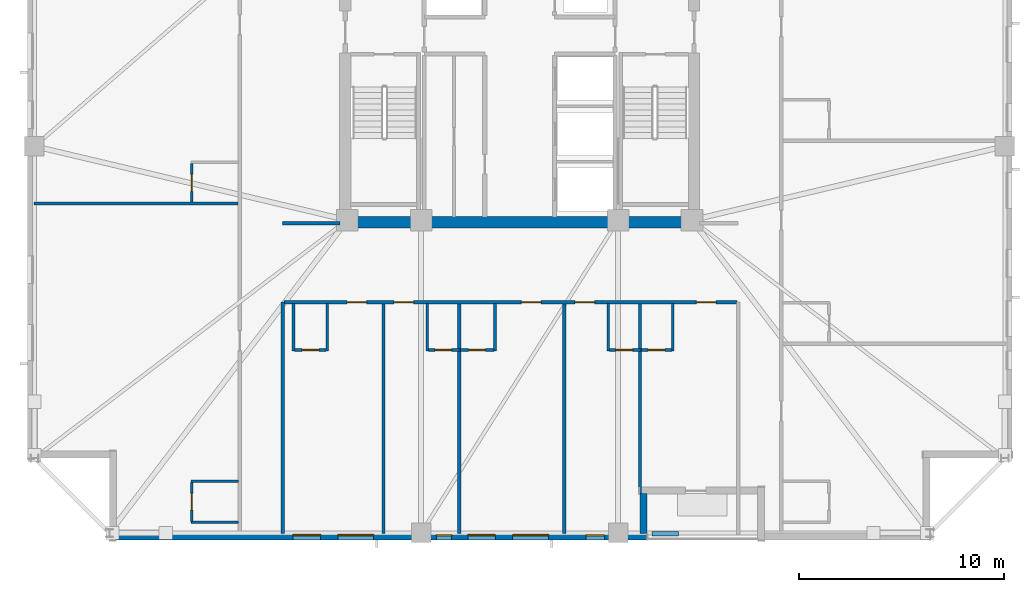
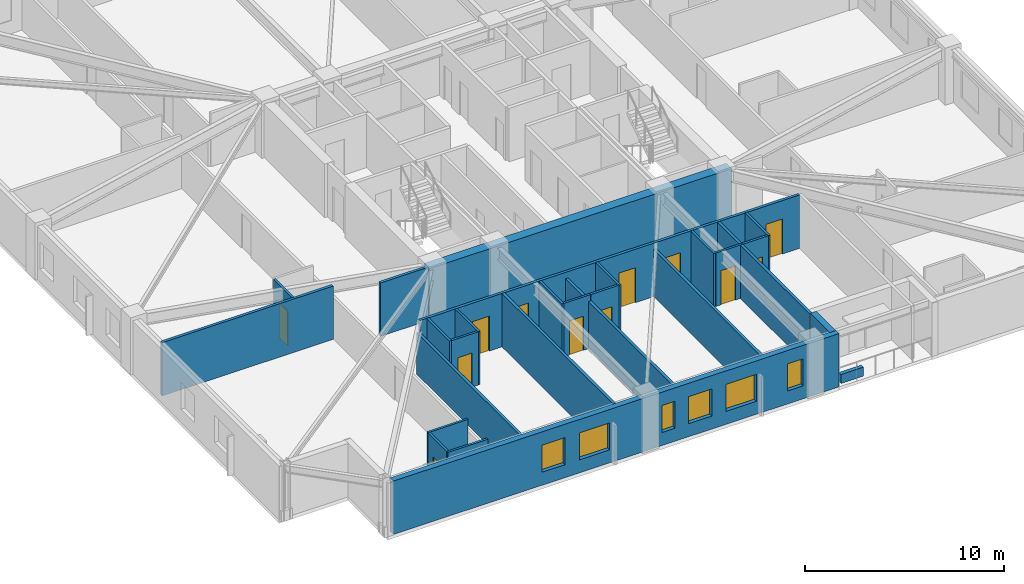
# One storey, part 2 of 11: 27 walls, 12 doors, 6 windows, 18 openings.
"""IFC4 building model written with IfcOpenShell, lengths in metres."""

from ifc_helpers import new_model, si_unit, direction, frame, frame_2d, origin, place, context, subcontext, project, spatial, rectangle, extrude, material, layer, layer_set, type_object, element, fill, save


model = new_model("IFC4")

# Units and contexts
model_context = context("Model", 3, precision=1e-05, world=origin(), true_north=direction((0.0, 1.0)))
body_context = subcontext(model_context, "Body", "Model", "MODEL_VIEW")
ifc_project = project(units=[si_unit("LENGTHUNIT", "METRE"), si_unit("AREAUNIT", "SQUARE_METRE"), si_unit("VOLUMEUNIT", "CUBIC_METRE"), si_unit("PLANEANGLEUNIT", "RADIAN"), si_unit("MASSUNIT", "GRAM", prefix="KILO")], contexts=[model_context])

# Site, building, storey
site_placement = place(None, origin())
site = spatial("IfcSite", under=ifc_project, at=site_placement, CompositionType="ELEMENT")
building_placement = place(site_placement, origin())
building = spatial("IfcBuilding", under=site, at=building_placement, Name="Cairnveth Concourse Tower", CompositionType="ELEMENT")
storey_placement = place(building_placement, frame((0.0, 0.0, 165.5)))
storey = spatial("IfcBuildingStorey", under=building, at=storey_placement, Name="L45", CompositionType="ELEMENT", Elevation=165.5)

# Walls
ifc_material_1 = material(Name="Gypsum Plasterboard Partition", Category="gypsum")
ifc_layer_1 = layer(ifc_material_1, 0.159912109375)
ifc_layer_set_1 = layer_set([ifc_layer_1], Name="Gypsum Plasterboard Partition")
wall_type_1 = type_object("IfcWallType", Name="ACOUSTIC PARTY WALL 180", PredefinedType="PARTITIONING", material=ifc_layer_set_1)
wall_1_placement = place(storey_placement, frame((40.449951171875, 15.324951171875, 0.0), z_axis=(0.0, 0.0, 1.0), x_axis=(0.0, 1.0, 0.0)))
element("IfcWall", 1, at=wall_1_placement, inside=storey, type_object=wall_type_1, Name="Interior Wall IW-L45-038", PredefinedType="PARTITIONING", context=body_context, shape_type="SweptSolid", body=[
    extrude(rectangle(XDim=11.275146484375, YDim=0.159912109375, at=frame_2d((5.6376953125, 0.0))), origin(), (0.0, 0.0, 1.0), 2.554931640625),
])
wall_2_placement = place(storey_placement, frame((40.449951171875, 30.449951171875, 0.0), z_axis=(0.0, 0.0, 1.0), x_axis=(1.0, 0.0, 0.0)))
element("IfcWall", 2, at=wall_2_placement, inside=storey, type_object=wall_type_1, Name="Interior Wall IW-L45-040", PredefinedType="PARTITIONING", context=body_context, shape_type="SweptSolid", body=[
    extrude(rectangle(XDim=2.78515625, YDim=0.159912109375, at=frame_2d((1.392578125, 0.0))), origin(), (0.0, 0.0, 1.0), 3.280029296875),
])

# Wall, openings, doors
wall_3_placement = place(storey_placement, frame((40.514892578125, 26.60009765625, 0.0), z_axis=(0.0, 0.0, 1.0), x_axis=(1.0, 0.0, 0.0)))
wall_3 = element("IfcWall", 3, at=wall_3_placement, inside=storey, type_object=wall_type_1, Name="Interior Wall IW-L45-047", PredefinedType="PARTITIONING", context=body_context, shape_type="SweptSolid", body=[
    extrude(rectangle(XDim=22.070068359375, YDim=0.159912109375, at=frame_2d((11.03515625, 0.0))), origin(), (0.0, 0.0, 1.0), 3.280029296875),
])
opening_1_placement = place(wall_3_placement, frame((3.071533203125, 0.0, 0.0)))
opening_1 = element("IfcOpeningElement", 4, at=opening_1_placement, cuts=wall_3, Name="Opening ID09", PredefinedType="OPENING", context=body_context, shape_type="SweptSolid", body=[
    extrude(rectangle(XDim=0.9599609375, YDim=2.14990234375, at=frame_2d((0.47998046875, 1.074951171875))), frame((0.0, 0.08984375, 0.0), z_axis=(0.0, -1.0, 0.0), x_axis=(1.0, 0.0, 0.0)), (0.0, 0.0, 1.0), 0.179931640625),
])
opening_2_placement = place(wall_3_placement, frame((5.362060546875, 0.0, 0.0)))
opening_2 = element("IfcOpeningElement", 5, at=opening_2_placement, cuts=wall_3, Name="Opening ID09", PredefinedType="OPENING", context=body_context, shape_type="SweptSolid", body=[
    extrude(rectangle(XDim=0.9599609375, YDim=2.14990234375, at=frame_2d((0.47998046875, 1.074951171875))), frame((0.0, 0.08984375, 0.0), z_axis=(0.0, -1.0, 0.0), x_axis=(1.0, 0.0, 0.0)), (0.0, 0.0, 1.0), 0.179931640625),
])
opening_3_placement = place(wall_3_placement, frame((11.56591796875, 0.0, 0.0)))
opening_3 = element("IfcOpeningElement", 6, at=opening_3_placement, cuts=wall_3, Name="Opening ID09", PredefinedType="OPENING", context=body_context, shape_type="SweptSolid", body=[
    extrude(rectangle(XDim=0.9599609375, YDim=2.14990234375, at=frame_2d((0.47998046875, 1.074951171875))), frame((0.0, 0.08984375, 0.0), z_axis=(0.0, -1.0, 0.0), x_axis=(1.0, 0.0, 0.0)), (0.0, 0.0, 1.0), 0.179931640625),
])
opening_4_placement = place(wall_3_placement, frame((14.177978515625, 0.0, 0.0)))
opening_4 = element("IfcOpeningElement", 7, at=opening_4_placement, cuts=wall_3, Name="Opening ID09", PredefinedType="OPENING", context=body_context, shape_type="SweptSolid", body=[
    extrude(rectangle(XDim=0.9599609375, YDim=2.14990234375, at=frame_2d((0.47998046875, 1.074951171875))), frame((0.0, 0.08984375, 0.0), z_axis=(0.0, -1.0, 0.0), x_axis=(1.0, 0.0, 0.0)), (0.0, 0.0, 1.0), 0.179931640625),
])
opening_5_placement = place(wall_3_placement, frame((20.098876953125, 0.0, 0.0)))
opening_5 = element("IfcOpeningElement", 8, at=opening_5_placement, cuts=wall_3, Name="Opening ID09", PredefinedType="OPENING", context=body_context, shape_type="SweptSolid", body=[
    extrude(rectangle(XDim=0.9599609375, YDim=2.14990234375, at=frame_2d((0.47998046875, 1.074951171875))), frame((0.0, 0.08984375, 0.0), z_axis=(0.0, -1.0, 0.0), x_axis=(1.0, 0.0, 0.0)), (0.0, 0.0, 1.0), 0.179931640625),
])
ifc_material_2 = material(Name="Solid Core Hardwood Timber Leaf", Category="wood")
door_type_1 = type_object("IfcDoorType", Name="HOTEL ENTRANCE DOOR 960X2150", OperationType="NOTDEFINED", PredefinedType="DOOR", material=ifc_material_2)
door_1_placement = place(opening_1_placement, origin())
door_1 = element("IfcDoor", 9, at=door_1_placement, inside=storey, type_object=door_type_1, Name="Hotel Room Door L45-S1", OperationType="SINGLE_SWING_RIGHT", OverallHeight=2.14990234375, OverallWidth=0.9599609375, PredefinedType="DOOR", context=body_context, shape_type="SweptSolid", body=[
    extrude(rectangle(XDim=0.9599609375, YDim=2.14990234375, at=frame_2d((0.47998046875, 1.074951171875))), frame((0.0, 0.02490234375, 0.0), z_axis=(0.0, -1.0, 0.0), x_axis=(1.0, 0.0, 0.0)), (0.0, 0.0, 1.0), 0.050048828125),
])
fill(opening_1, door_1)
door_2_placement = place(opening_2_placement, origin())
door_2 = element("IfcDoor", 10, at=door_2_placement, inside=storey, type_object=door_type_1, Name="Hotel Room Door L45-S2", OperationType="SINGLE_SWING_RIGHT", OverallHeight=2.14990234375, OverallWidth=0.9599609375, PredefinedType="DOOR", context=body_context, shape_type="SweptSolid", body=[
    extrude(rectangle(XDim=0.9599609375, YDim=2.14990234375, at=frame_2d((0.47998046875, 1.074951171875))), frame((0.0, 0.02490234375, 0.0), z_axis=(0.0, -1.0, 0.0), x_axis=(1.0, 0.0, 0.0)), (0.0, 0.0, 1.0), 0.050048828125),
])
fill(opening_2, door_2)
door_3_placement = place(opening_3_placement, origin())
door_3 = element("IfcDoor", 11, at=door_3_placement, inside=storey, type_object=door_type_1, Name="Hotel Room Door L45-S3", OperationType="SINGLE_SWING_RIGHT", OverallHeight=2.14990234375, OverallWidth=0.9599609375, PredefinedType="DOOR", context=body_context, shape_type="SweptSolid", body=[
    extrude(rectangle(XDim=0.9599609375, YDim=2.14990234375, at=frame_2d((0.47998046875, 1.074951171875))), frame((0.0, 0.02490234375, 0.0), z_axis=(0.0, -1.0, 0.0), x_axis=(1.0, 0.0, 0.0)), (0.0, 0.0, 1.0), 0.050048828125),
])
fill(opening_3, door_3)
door_4_placement = place(opening_4_placement, origin())
door_4 = element("IfcDoor", 12, at=door_4_placement, inside=storey, type_object=door_type_1, Name="Hotel Room Door L45-S4", OperationType="SINGLE_SWING_RIGHT", OverallHeight=2.14990234375, OverallWidth=0.9599609375, PredefinedType="DOOR", context=body_context, shape_type="SweptSolid", body=[
    extrude(rectangle(XDim=0.9599609375, YDim=2.14990234375, at=frame_2d((0.47998046875, 1.074951171875))), frame((0.0, 0.02490234375, 0.0), z_axis=(0.0, -1.0, 0.0), x_axis=(1.0, 0.0, 0.0)), (0.0, 0.0, 1.0), 0.050048828125),
])
fill(opening_4, door_4)
door_5_placement = place(opening_5_placement, origin())
door_5 = element("IfcDoor", 13, at=door_5_placement, inside=storey, type_object=door_type_1, Name="Hotel Room Door L45-S5", OperationType="SINGLE_SWING_RIGHT", OverallHeight=2.14990234375, OverallWidth=0.9599609375, PredefinedType="DOOR", context=body_context, shape_type="SweptSolid", body=[
    extrude(rectangle(XDim=0.9599609375, YDim=2.14990234375, at=frame_2d((0.47998046875, 1.074951171875))), frame((0.0, 0.02490234375, 0.0), z_axis=(0.0, -1.0, 0.0), x_axis=(1.0, 0.0, 0.0)), (0.0, 0.0, 1.0), 0.050048828125),
])
fill(opening_5, door_5)

# Walls
wall_4_placement = place(storey_placement, frame((45.360595703125, 15.324951171875, 0.0), z_axis=(0.0, 0.0, 1.0), x_axis=(0.0, 1.0, 0.0)))
element("IfcWall", 14, at=wall_4_placement, inside=storey, type_object=wall_type_1, Name="Interior Wall IW-L45-053", PredefinedType="PARTITIONING", context=body_context, shape_type="SweptSolid", body=[
    extrude(rectangle(XDim=11.195068359375, YDim=0.159912109375, at=frame_2d((5.59765625, 0.0))), origin(), (0.0, 0.0, 1.0), 3.280029296875),
])
for number, where, z_axis, x_axis, name in (
    (15, (49.053466796875, 15.324951171875, 0.0), (0.0, 0.0, 1.0), (0.0, 1.0, 0.0), "Interior Wall IW-L45-056"),
    (16, (54.176513671875, 15.324951171875, 0.0), (0.0, 0.0, 1.0), (0.0, 1.0, 0.0), "Interior Wall IW-L45-059"),
):
    element("IfcWall", number, at=place(storey_placement, frame(where, z_axis=z_axis, x_axis=x_axis)), inside=storey, type_object=wall_type_1, Name=name, PredefinedType="PARTITIONING", context=body_context, shape_type="SweptSolid", body=[
        extrude(rectangle(XDim=11.195068359375, YDim=0.159912109375, at=frame_2d((5.59765625, 0.0))), origin(), (0.0, 0.0, 1.0), 2.89599609375),
    ])
wall_5_placement = place(storey_placement, frame((57.869384765625, 17.261962890625, 0.0), z_axis=(0.0, 0.0, 1.0), x_axis=(0.0, 1.0, 0.0)))
element("IfcWall", 17, at=wall_5_placement, inside=storey, type_object=wall_type_1, Name="Interior Wall IW-L45-062", PredefinedType="PARTITIONING", context=body_context, shape_type="SweptSolid", body=[
    extrude(rectangle(XDim=9.258056640625, YDim=0.159912109375, at=frame_2d((4.62890625, 0.0))), origin(), (0.0, 0.0, 1.0), 3.280029296875),
])
wall_6_placement = place(storey_placement, frame((28.324951171875, 31.41455078125, 0.0), z_axis=(0.0, 0.0, 1.0), x_axis=(1.0, 0.0, 0.0)))
element("IfcWall", 18, at=wall_6_placement, inside=storey, type_object=wall_type_1, Name="Interior Wall IW-L45-068", PredefinedType="PARTITIONING", context=body_context, shape_type="SweptSolid", body=[
    extrude(rectangle(XDim=9.945068359375, YDim=0.159912109375, at=frame_2d((4.97265625, 0.0))), origin(), (0.0, 0.0, 1.0), 3.280029296875),
])
ifc_material_3 = material(Name="Concrete N80 (80 MPa)", Category="concrete")
ifc_layer_2 = layer(ifc_material_3, 0.550048828125)
ifc_layer_set_2 = layer_set([ifc_layer_2], Name="Concrete N80 (80 MPa)")
wall_type_2 = type_object("IfcWallType", Name="CORE SHEAR WALL 550", PredefinedType="SHEAR", material=ifc_layer_set_2)
wall_7_placement = place(storey_placement, frame((43.22509765625, 30.5, 0.0), z_axis=(0.0, 0.0, 1.0), x_axis=(1.0, 0.0, 0.0)))
element("IfcWall", 19, at=wall_7_placement, inside=storey, type_object=wall_type_2, Name="Core South Shear Wall L45", PredefinedType="SHEAR", context=body_context, shape_type="SweptSolid", body=[
    extrude(rectangle(XDim=17.5498046875, YDim=0.550048828125, at=frame_2d((8.77490234375, 0.0))), origin(), (0.0, 0.0, 1.0), 3.280029296875),
])
ifc_material_4 = material(Name="Dressed Melbourne Bluestone Cladding", Category="masonry")
ifc_layer_3 = layer(ifc_material_4, 0.219970703125)
ifc_layer_set_3 = layer_set([ifc_layer_3], Name="Dressed Melbourne Bluestone Cladding")
wall_type_3 = type_object("IfcWallType", Name="TERRACE PLANTER CURB WALL 220", PredefinedType="PARAPET", material=ifc_layer_set_3)
wall_8_placement = place(storey_placement, frame((58.449951171875, 15.320068359375, 0.0), z_axis=(0.0, 0.0, 1.0), x_axis=(1.0, 0.0, 0.0)))
element("IfcWall", 20, at=wall_8_placement, inside=storey, type_object=wall_type_3, Name="Exterior Wall PLNT-L45-TERR", PredefinedType="PARAPET", context=body_context, shape_type="SweptSolid", body=[
    extrude(rectangle(XDim=1.300048828125, YDim=0.219970703125, at=frame_2d((0.64990234375, 0.0))), origin(), (0.0, 0.0, 1.0), 0.550048828125),
])
ifc_layer_4 = layer(ifc_material_1, 0.1298828125)
ifc_layer_set_4 = layer_set([ifc_layer_4], Name="Gypsum Plasterboard Partition")
wall_type_4 = type_object("IfcWallType", Name="WET AREA PARTITION 140", PredefinedType="PLUMBINGWALL", material=ifc_layer_set_4)
for number, where, z_axis, x_axis, name in (
    (21, (40.97998046875, 24.219970703125, 0.0), (0.0, 0.0, 1.0), (0.0, 1.0, 0.0), "Interior Wall IW-L45-050"),
    (22, (42.622314453125, 24.219970703125, 0.0), (0.0, 0.0, 1.0), (0.0, 1.0, 0.0), "Interior Wall IW-L45-051"),
):
    element("IfcWall", number, at=place(storey_placement, frame(where, z_axis=z_axis, x_axis=x_axis)), inside=storey, type_object=wall_type_4, Name=name, PredefinedType="PLUMBINGWALL", context=body_context, shape_type="SweptSolid", body=[
        extrude(rectangle(XDim=2.31494140625, YDim=0.1298828125, at=frame_2d((1.157470703125, 0.0))), origin(), (0.0, 0.0, 1.0), 3.280029296875),
    ])

# Wall, opening, door
wall_9_placement = place(storey_placement, frame((41.030029296875, 24.27001953125, 0.0), z_axis=(0.0, 0.0, 1.0), x_axis=(1.0, 0.0, 0.0)))
wall_9 = element("IfcWall", 23, at=wall_9_placement, inside=storey, type_object=wall_type_4, Name="Interior Wall IW-L45-052", PredefinedType="PLUMBINGWALL", context=body_context, shape_type="SweptSolid", body=[
    extrude(rectangle(XDim=1.54248046875, YDim=0.1298828125, at=frame_2d((0.771240234375, 0.0))), origin(), (0.0, 0.0, 1.0), 3.280029296875),
])
opening_6_placement = place(wall_9_placement, frame((0.361083984375, 0.0, 0.0)))
opening_6 = element("IfcOpeningElement", 24, at=opening_6_placement, cuts=wall_9, Name="Opening ID22", PredefinedType="OPENING", context=body_context, shape_type="SweptSolid", body=[
    extrude(rectangle(XDim=0.820068359375, YDim=2.10009765625, at=frame_2d((0.41015625, 1.050048828125))), frame((0.0, 0.074951171875, 0.0), z_axis=(0.0, -1.0, 0.0), x_axis=(1.0, 0.0, 0.0)), (0.0, 0.0, 1.0), 0.14990234375),
])
door_type_2 = type_object("IfcDoorType", Name="INTERIOR WC DOOR 820X2100", OperationType="NOTDEFINED", PredefinedType="DOOR", material=ifc_material_2)
door_6_placement = place(opening_6_placement, origin())
door_6 = element("IfcDoor", 25, at=door_6_placement, inside=storey, type_object=door_type_2, Name="En-Suite Door L45-S1", OperationType="SINGLE_SWING_LEFT", OverallHeight=2.10009765625, OverallWidth=0.820068359375, PredefinedType="DOOR", context=body_context, shape_type="SweptSolid", body=[
    extrude(rectangle(XDim=0.820068359375, YDim=2.10009765625, at=frame_2d((0.41015625, 1.050048828125))), frame((0.0, 0.02490234375, 0.0), z_axis=(0.0, -1.0, 0.0), x_axis=(1.0, 0.0, 0.0)), (0.0, 0.0, 1.0), 0.050048828125),
])
fill(opening_6, door_6)

# Wall
wall_10_placement = place(storey_placement, frame((47.50341796875, 24.219970703125, 0.0), z_axis=(0.0, 0.0, 1.0), x_axis=(0.0, 1.0, 0.0)))
element("IfcWall", 26, at=wall_10_placement, inside=storey, type_object=wall_type_4, Name="Interior Wall IW-L45-054", PredefinedType="PLUMBINGWALL", context=body_context, shape_type="SweptSolid", body=[
    extrude(rectangle(XDim=2.31494140625, YDim=0.1298828125, at=frame_2d((1.157470703125, 0.0))), origin(), (0.0, 0.0, 1.0), 3.280029296875),
])

# Wall, opening, door
wall_11_placement = place(storey_placement, frame((47.553466796875, 24.27001953125, 0.0), z_axis=(0.0, 0.0, 1.0), x_axis=(1.0, 0.0, 0.0)))
wall_11 = element("IfcWall", 27, at=wall_11_placement, inside=storey, type_object=wall_type_4, Name="Interior Wall IW-L45-055", PredefinedType="PLUMBINGWALL", context=body_context, shape_type="SweptSolid", body=[
    extrude(rectangle(XDim=1.550048828125, YDim=0.1298828125, at=frame_2d((0.77490234375, 0.0))), origin(), (0.0, 0.0, 1.0), 3.280029296875),
])
opening_7_placement = place(wall_11_placement, frame((0.31494140625, 0.0, 0.0)))
opening_7 = element("IfcOpeningElement", 28, at=opening_7_placement, cuts=wall_11, Name="Opening ID22", PredefinedType="OPENING", context=body_context, shape_type="SweptSolid", body=[
    extrude(rectangle(XDim=0.820068359375, YDim=2.10009765625, at=frame_2d((0.41015625, 1.050048828125))), frame((0.0, 0.074951171875, 0.0), z_axis=(0.0, -1.0, 0.0), x_axis=(1.0, 0.0, 0.0)), (0.0, 0.0, 1.0), 0.14990234375),
])
door_7_placement = place(opening_7_placement, origin())
door_7 = element("IfcDoor", 29, at=door_7_placement, inside=storey, type_object=door_type_2, Name="En-Suite Door L45-S2", OperationType="SINGLE_SWING_LEFT", OverallHeight=2.10009765625, OverallWidth=0.820068359375, PredefinedType="DOOR", context=body_context, shape_type="SweptSolid", body=[
    extrude(rectangle(XDim=0.820068359375, YDim=2.10009765625, at=frame_2d((0.41015625, 1.050048828125))), frame((0.0, 0.02490234375, 0.0), z_axis=(0.0, -1.0, 0.0), x_axis=(1.0, 0.0, 0.0)), (0.0, 0.0, 1.0), 0.050048828125),
])
fill(opening_7, door_7)

# Wall
wall_12_placement = place(storey_placement, frame((50.79541015625, 24.219970703125, 0.0), z_axis=(0.0, 0.0, 1.0), x_axis=(0.0, 1.0, 0.0)))
element("IfcWall", 30, at=wall_12_placement, inside=storey, type_object=wall_type_4, Name="Interior Wall IW-L45-057", PredefinedType="PLUMBINGWALL", context=body_context, shape_type="SweptSolid", body=[
    extrude(rectangle(XDim=2.31494140625, YDim=0.1298828125, at=frame_2d((1.157470703125, 0.0))), origin(), (0.0, 0.0, 1.0), 3.280029296875),
])

# Wall, opening, door
wall_13_placement = place(storey_placement, frame((49.118408203125, 24.27001953125, 0.0), z_axis=(0.0, 0.0, 1.0), x_axis=(1.0, 0.0, 0.0)))
wall_13 = element("IfcWall", 31, at=wall_13_placement, inside=storey, type_object=wall_type_4, Name="Interior Wall IW-L45-058", PredefinedType="PLUMBINGWALL", context=body_context, shape_type="SweptSolid", body=[
    extrude(rectangle(XDim=1.626953125, YDim=0.1298828125, at=frame_2d((0.8134765625, 0.0))), origin(), (0.0, 0.0, 1.0), 3.280029296875),
])
opening_8_placement = place(wall_13_placement, frame((0.39599609375, 0.0, 0.0)))
opening_8 = element("IfcOpeningElement", 32, at=opening_8_placement, cuts=wall_13, Name="Opening ID22", PredefinedType="OPENING", context=body_context, shape_type="SweptSolid", body=[
    extrude(rectangle(XDim=0.820068359375, YDim=2.10009765625, at=frame_2d((0.41015625, 1.050048828125))), frame((0.0, 0.074951171875, 0.0), z_axis=(0.0, -1.0, 0.0), x_axis=(1.0, 0.0, 0.0)), (0.0, 0.0, 1.0), 0.14990234375),
])
door_8_placement = place(opening_8_placement, origin())
door_8 = element("IfcDoor", 33, at=door_8_placement, inside=storey, type_object=door_type_2, Name="En-Suite Door L45-S3", OperationType="SINGLE_SWING_LEFT", OverallHeight=2.10009765625, OverallWidth=0.820068359375, PredefinedType="DOOR", context=body_context, shape_type="SweptSolid", body=[
    extrude(rectangle(XDim=0.820068359375, YDim=2.10009765625, at=frame_2d((0.41015625, 1.050048828125))), frame((0.0, 0.02490234375, 0.0), z_axis=(0.0, -1.0, 0.0), x_axis=(1.0, 0.0, 0.0)), (0.0, 0.0, 1.0), 0.050048828125),
])
fill(opening_8, door_8)

# Wall
wall_14_placement = place(storey_placement, frame((56.319580078125, 24.219970703125, 0.0), z_axis=(0.0, 0.0, 1.0), x_axis=(0.0, 1.0, 0.0)))
element("IfcWall", 34, at=wall_14_placement, inside=storey, type_object=wall_type_4, Name="Interior Wall IW-L45-060", PredefinedType="PLUMBINGWALL", context=body_context, shape_type="SweptSolid", body=[
    extrude(rectangle(XDim=2.31494140625, YDim=0.1298828125, at=frame_2d((1.157470703125, 0.0))), origin(), (0.0, 0.0, 1.0), 3.280029296875),
])

# Wall, opening, door
wall_15_placement = place(storey_placement, frame((56.369384765625, 24.27001953125, 0.0), z_axis=(0.0, 0.0, 1.0), x_axis=(1.0, 0.0, 0.0)))
wall_15 = element("IfcWall", 35, at=wall_15_placement, inside=storey, type_object=wall_type_4, Name="Interior Wall IW-L45-061", PredefinedType="PLUMBINGWALL", context=body_context, shape_type="SweptSolid", body=[
    extrude(rectangle(XDim=1.550048828125, YDim=0.1298828125, at=frame_2d((0.77490234375, 0.0))), origin(), (0.0, 0.0, 1.0), 3.280029296875),
])
opening_9_placement = place(wall_15_placement, frame((0.31494140625, 0.0, 0.0)))
opening_9 = element("IfcOpeningElement", 36, at=opening_9_placement, cuts=wall_15, Name="Opening ID22", PredefinedType="OPENING", context=body_context, shape_type="SweptSolid", body=[
    extrude(rectangle(XDim=0.820068359375, YDim=2.10009765625, at=frame_2d((0.41015625, 1.050048828125))), frame((0.0, 0.074951171875, 0.0), z_axis=(0.0, -1.0, 0.0), x_axis=(1.0, 0.0, 0.0)), (0.0, 0.0, 1.0), 0.14990234375),
])
door_9_placement = place(opening_9_placement, origin())
door_9 = element("IfcDoor", 37, at=door_9_placement, inside=storey, type_object=door_type_2, Name="En-Suite Door L45-S4", OperationType="SINGLE_SWING_LEFT", OverallHeight=2.10009765625, OverallWidth=0.820068359375, PredefinedType="DOOR", context=body_context, shape_type="SweptSolid", body=[
    extrude(rectangle(XDim=0.820068359375, YDim=2.10009765625, at=frame_2d((0.41015625, 1.050048828125))), frame((0.0, 0.02490234375, 0.0), z_axis=(0.0, -1.0, 0.0), x_axis=(1.0, 0.0, 0.0)), (0.0, 0.0, 1.0), 0.050048828125),
])
fill(opening_9, door_9)

# Wall
wall_16_placement = place(storey_placement, frame((59.4677734375, 24.219970703125, 0.0), z_axis=(0.0, 0.0, 1.0), x_axis=(0.0, 1.0, 0.0)))
element("IfcWall", 38, at=wall_16_placement, inside=storey, type_object=wall_type_4, Name="Interior Wall IW-L45-063", PredefinedType="PLUMBINGWALL", context=body_context, shape_type="SweptSolid", body=[
    extrude(rectangle(XDim=2.31494140625, YDim=0.1298828125, at=frame_2d((1.157470703125, 0.0))), origin(), (0.0, 0.0, 1.0), 3.280029296875),
])

# Wall, opening, door
wall_17_placement = place(storey_placement, frame((57.9345703125, 24.27001953125, 0.0), z_axis=(0.0, 0.0, 1.0), x_axis=(1.0, 0.0, 0.0)))
wall_17 = element("IfcWall", 39, at=wall_17_placement, inside=storey, type_object=wall_type_4, Name="Interior Wall IW-L45-064", PredefinedType="PLUMBINGWALL", context=body_context, shape_type="SweptSolid", body=[
    extrude(rectangle(XDim=1.483154296875, YDim=0.1298828125, at=frame_2d((0.74169921875, 0.0))), origin(), (0.0, 0.0, 1.0), 3.280029296875),
])
opening_10_placement = place(wall_17_placement, frame((0.32421875, 0.0, 0.0)))
opening_10 = element("IfcOpeningElement", 40, at=opening_10_placement, cuts=wall_17, Name="Opening ID22", PredefinedType="OPENING", context=body_context, shape_type="SweptSolid", body=[
    extrude(rectangle(XDim=0.820068359375, YDim=2.10009765625, at=frame_2d((0.41015625, 1.050048828125))), frame((0.0, 0.074951171875, 0.0), z_axis=(0.0, -1.0, 0.0), x_axis=(1.0, 0.0, 0.0)), (0.0, 0.0, 1.0), 0.14990234375),
])
door_10_placement = place(opening_10_placement, origin())
door_10 = element("IfcDoor", 41, at=door_10_placement, inside=storey, type_object=door_type_2, Name="En-Suite Door L45-S5", OperationType="SINGLE_SWING_LEFT", OverallHeight=2.10009765625, OverallWidth=0.820068359375, PredefinedType="DOOR", context=body_context, shape_type="SweptSolid", body=[
    extrude(rectangle(XDim=0.820068359375, YDim=2.10009765625, at=frame_2d((0.41015625, 1.050048828125))), frame((0.0, 0.02490234375, 0.0), z_axis=(0.0, -1.0, 0.0), x_axis=(1.0, 0.0, 0.0)), (0.0, 0.0, 1.0), 0.050048828125),
])
fill(opening_10, door_10)

# Walls
for number, where, z_axis, x_axis, name in (
    (42, (35.969970703125, 15.8701171875, 0.0), (0.0, 0.0, 1.0), (1.0, 0.0, 0.0), "Interior Wall IW-L45-065"),
    (43, (35.969970703125, 17.8701171875, 0.0), (0.0, 0.0, 1.0), (1.0, 0.0, 0.0), "Interior Wall IW-L45-066"),
):
    element("IfcWall", number, at=place(storey_placement, frame(where, z_axis=z_axis, x_axis=x_axis)), inside=storey, type_object=wall_type_4, Name=name, PredefinedType="PLUMBINGWALL", context=body_context, shape_type="SweptSolid", body=[
        extrude(rectangle(XDim=2.31494140625, YDim=0.1298828125, at=frame_2d((1.157470703125, 0.0))), origin(), (0.0, 0.0, 1.0), 3.280029296875),
    ])

# Wall, opening, door
wall_18_placement = place(storey_placement, frame((36.02001953125, 15.919921875, 0.0), z_axis=(0.0, 0.0, 1.0), x_axis=(0.0, 1.0, 0.0)))
wall_18 = element("IfcWall", 44, at=wall_18_placement, inside=storey, type_object=wall_type_4, Name="Interior Wall IW-L45-067", PredefinedType="PLUMBINGWALL", context=body_context, shape_type="SweptSolid", body=[
    extrude(rectangle(XDim=1.900146484375, YDim=0.1298828125, at=frame_2d((0.9501953125, 0.0))), origin(), (0.0, 0.0, 1.0), 3.280029296875),
])
opening_11_placement = place(wall_18_placement, frame((0.5400390625, 0.0, 0.0)))
opening_11 = element("IfcOpeningElement", 45, at=opening_11_placement, cuts=wall_18, Name="Opening ID22", PredefinedType="OPENING", context=body_context, shape_type="SweptSolid", body=[
    extrude(rectangle(XDim=0.820068359375, YDim=2.10009765625, at=frame_2d((0.41015625, 1.050048828125))), frame((0.0, 0.074951171875, 0.0), z_axis=(0.0, -1.0, 0.0), x_axis=(1.0, 0.0, 0.0)), (0.0, 0.0, 1.0), 0.14990234375),
])
door_11_placement = place(opening_11_placement, origin())
door_11 = element("IfcDoor", 46, at=door_11_placement, inside=storey, type_object=door_type_2, Name="En-Suite Door L45-W1", OperationType="SINGLE_SWING_LEFT", OverallHeight=2.10009765625, OverallWidth=0.820068359375, PredefinedType="DOOR", context=body_context, shape_type="SweptSolid", body=[
    extrude(rectangle(XDim=0.820068359375, YDim=2.10009765625, at=frame_2d((0.41015625, 1.050048828125))), frame((0.0, 0.02490234375, 0.0), z_axis=(0.0, -1.0, 0.0), x_axis=(1.0, 0.0, 0.0)), (0.0, 0.0, 1.0), 0.050048828125),
])
fill(opening_11, door_11)

wall_19_placement = place(storey_placement, frame((36.02001953125, 31.4794921875, 0.0), z_axis=(0.0, 0.0, 1.0), x_axis=(0.0, 1.0, 0.0)))
wall_19 = element("IfcWall", 47, at=wall_19_placement, inside=storey, type_object=wall_type_4, Name="Interior Wall IW-L45-070", PredefinedType="PLUMBINGWALL", context=body_context, shape_type="SweptSolid", body=[
    extrude(rectangle(XDim=1.885009765625, YDim=0.1298828125, at=frame_2d((0.9423828125, 0.0))), origin(), (0.0, 0.0, 1.0), 3.280029296875),
])
opening_12_placement = place(wall_19_placement, frame((0.52490234375, 0.0, 0.0)))
opening_12 = element("IfcOpeningElement", 48, at=opening_12_placement, cuts=wall_19, Name="Opening ID22", PredefinedType="OPENING", context=body_context, shape_type="SweptSolid", body=[
    extrude(rectangle(XDim=0.820068359375, YDim=2.10009765625, at=frame_2d((0.41015625, 1.050048828125))), frame((0.0, 0.074951171875, 0.0), z_axis=(0.0, -1.0, 0.0), x_axis=(1.0, 0.0, 0.0)), (0.0, 0.0, 1.0), 0.14990234375),
])
door_12_placement = place(opening_12_placement, origin())
door_12 = element("IfcDoor", 49, at=door_12_placement, inside=storey, type_object=door_type_2, Name="En-Suite Door L45-W2", OperationType="SINGLE_SWING_LEFT", OverallHeight=2.10009765625, OverallWidth=0.820068359375, PredefinedType="DOOR", context=body_context, shape_type="SweptSolid", body=[
    extrude(rectangle(XDim=0.820068359375, YDim=2.10009765625, at=frame_2d((0.41015625, 1.050048828125))), frame((0.0, 0.02490234375, 0.0), z_axis=(0.0, -1.0, 0.0), x_axis=(1.0, 0.0, 0.0)), (0.0, 0.0, 1.0), 0.050048828125),
])
fill(opening_12, door_12)

# Wall, openings, windows
ifc_material_5 = material(Name="Hawthorn Red-Ochre Fired Clay Brick Masonry", Category="masonry")
ifc_layer_5 = layer(ifc_material_5, 0.340087890625)
ifc_layer_set_5 = layer_set([ifc_layer_5], Name="Hawthorn Red-Ochre Fired Clay Brick Masonry")
wall_type_5 = type_object("IfcWallType", Name="ZONE 2 BRICK PIER SPANDREL WALL 340", PredefinedType="SOLIDWALL", material=ifc_layer_set_5)
wall_20_placement = place(storey_placement, frame((58.199951171875, 15.169921875, 0.0), z_axis=(0.0, 0.0, 1.0), x_axis=(-1.0, 0.0, 0.0)))
wall_20 = element("IfcWall", 50, at=wall_20_placement, inside=storey, type_object=wall_type_5, Name="Exterior Wall EW-L45-S00", PredefinedType="SOLIDWALL", context=body_context, shape_type="SweptSolid", body=[
    extrude(rectangle(XDim=25.8818359375, YDim=0.340087890625, at=frame_2d((12.94091796875, 0.0))), origin(), (0.0, 0.0, 1.0), 3.280029296875),
])
opening_13_placement = place(wall_20_placement, frame((4.793212890625, 0.0, 0.800048828125)))
opening_13 = element("IfcOpeningElement", 51, at=opening_13_placement, cuts=wall_20, Name="Opening W06", PredefinedType="OPENING", context=body_context, shape_type="SweptSolid", body=[
    extrude(rectangle(XDim=1.75, YDim=1.659912109375, at=frame_2d((0.875, 0.830078125))), frame((0.0, 0.179931640625, 0.0), z_axis=(0.0, -1.0, 0.0), x_axis=(1.0, 0.0, 0.0)), (0.0, 0.0, 1.0), 0.360107421875),
])
opening_14_placement = place(wall_20_placement, frame((7.379638671875, 0.0, 0.800048828125)))
opening_14 = element("IfcOpeningElement", 52, at=opening_14_placement, cuts=wall_20, Name="Opening W02", PredefinedType="OPENING", context=body_context, shape_type="SweptSolid", body=[
    extrude(rectangle(XDim=1.35009765625, YDim=1.659912109375, at=frame_2d((0.675048828125, 0.830078125))), frame((0.0, 0.179931640625, 0.0), z_axis=(0.0, -1.0, 0.0), x_axis=(1.0, 0.0, 0.0)), (0.0, 0.0, 1.0), 0.360107421875),
])
opening_15_placement = place(wall_20_placement, frame((13.31591796875, 0.0, 0.800048828125)))
opening_15 = element("IfcOpeningElement", 53, at=opening_15_placement, cuts=wall_20, Name="Opening W06", PredefinedType="OPENING", context=body_context, shape_type="SweptSolid", body=[
    extrude(rectangle(XDim=1.75, YDim=1.659912109375, at=frame_2d((0.875, 0.830078125))), frame((0.0, 0.179931640625, 0.0), z_axis=(0.0, -1.0, 0.0), x_axis=(1.0, 0.0, 0.0)), (0.0, 0.0, 1.0), 0.360107421875),
])
opening_16_placement = place(wall_20_placement, frame((15.90234375, 0.0, 0.800048828125)))
opening_16 = element("IfcOpeningElement", 54, at=opening_16_placement, cuts=wall_20, Name="Opening W02", PredefinedType="OPENING", context=body_context, shape_type="SweptSolid", body=[
    extrude(rectangle(XDim=1.35009765625, YDim=1.659912109375, at=frame_2d((0.675048828125, 0.830078125))), frame((0.0, 0.179931640625, 0.0), z_axis=(0.0, -1.0, 0.0), x_axis=(1.0, 0.0, 0.0)), (0.0, 0.0, 1.0), 0.360107421875),
])
opening_17_placement = place(wall_20_placement, frame((9.510009765625, 0.0, 0.800048828125)))
opening_17 = element("IfcOpeningElement", 55, at=opening_17_placement, cuts=wall_20, Name="Opening W14", PredefinedType="OPENING", context=body_context, shape_type="SweptSolid", body=[
    extrude(rectangle(XDim=0.75, YDim=1.659912109375, at=frame_2d((0.375, 0.830078125))), frame((0.0, 0.179931640625, 0.0), z_axis=(0.0, -1.0, 0.0), x_axis=(1.0, 0.0, 0.0)), (0.0, 0.0, 1.0), 0.360107421875),
])
opening_18_placement = place(wall_20_placement, frame((2.070068359375, 0.0, 0.800048828125)))
opening_18 = element("IfcOpeningElement", 56, at=opening_18_placement, cuts=wall_20, Name="Opening W13", PredefinedType="OPENING", context=body_context, shape_type="SweptSolid", body=[
    extrude(rectangle(XDim=0.89990234375, YDim=1.659912109375, at=frame_2d((0.449951171875, 0.830078125))), frame((0.0, 0.179931640625, 0.0), z_axis=(0.0, -1.0, 0.0), x_axis=(1.0, 0.0, 0.0)), (0.0, 0.0, 1.0), 0.360107421875),
])
ifc_material_6 = material(Name="Double Glazed Low-E Clear Glass", Category="glass")
window_type_1 = type_object("IfcWindowType", Name="DEEP-SET BEDROOM LANCET WINDOW 900X1750", PartitioningType="DOUBLE_PANEL_VERTICAL", PredefinedType="WINDOW", material=ifc_material_6)
window_1_placement = place(opening_18_placement, origin())
window_1 = element("IfcWindow", 57, at=window_1_placement, inside=storey, type_object=window_type_1, Name="Dwelling Lancet Window L45-DW2", OverallHeight=1.659912109375, OverallWidth=0.89990234375, PartitioningType="SINGLE_PANEL", PredefinedType="WINDOW", context=body_context, shape_type="SweptSolid", body=[
    extrude(rectangle(XDim=0.89990234375, YDim=1.659912109375, at=frame_2d((0.449951171875, 0.830078125))), frame((0.0, -0.0400390625, 0.0), z_axis=(0.0, -1.0, 0.0), x_axis=(1.0, 0.0, 0.0)), (0.0, 0.0, 1.0), 0.06005859375),
])
fill(opening_18, window_1)
window_type_2 = type_object("IfcWindowType", Name="DEEP-SET GOTHIC LANCET WINDOW 1350X1800", PartitioningType="DOUBLE_PANEL_VERTICAL", PredefinedType="WINDOW", material=ifc_material_6)
window_2_placement = place(opening_14_placement, origin())
window_2 = element("IfcWindow", 58, at=window_2_placement, inside=storey, type_object=window_type_2, Name="Gothic Lancet Window L45-0-2", OverallHeight=1.659912109375, OverallWidth=1.35009765625, PartitioningType="SINGLE_PANEL", PredefinedType="WINDOW", context=body_context, shape_type="SweptSolid", body=[
    extrude(rectangle(XDim=1.35009765625, YDim=1.659912109375, at=frame_2d((0.675048828125, 0.830078125))), frame((0.0, -0.050048828125, 0.0), z_axis=(0.0, -1.0, 0.0), x_axis=(1.0, 0.0, 0.0)), (0.0, 0.0, 1.0), 0.06005859375),
])
fill(opening_14, window_2)
window_3_placement = place(opening_16_placement, origin())
window_3 = element("IfcWindow", 59, at=window_3_placement, inside=storey, type_object=window_type_2, Name="Gothic Lancet Window L45-0-4", OverallHeight=1.659912109375, OverallWidth=1.35009765625, PartitioningType="SINGLE_PANEL", PredefinedType="WINDOW", context=body_context, shape_type="SweptSolid", body=[
    extrude(rectangle(XDim=1.35009765625, YDim=1.659912109375, at=frame_2d((0.675048828125, 0.830078125))), frame((0.0, -0.050048828125, 0.0), z_axis=(0.0, -1.0, 0.0), x_axis=(1.0, 0.0, 0.0)), (0.0, 0.0, 1.0), 0.06005859375),
])
fill(opening_16, window_3)
window_type_3 = type_object("IfcWindowType", Name="DEEP-SET HOTEL SUITE WINDOW 1750X1800", PartitioningType="DOUBLE_PANEL_VERTICAL", PredefinedType="WINDOW", material=ifc_material_6)
window_4_placement = place(opening_13_placement, origin())
window_4 = element("IfcWindow", 60, at=window_4_placement, inside=storey, type_object=window_type_3, Name="Gothic Lancet Window L45-0-1", OverallHeight=1.659912109375, OverallWidth=1.75, PartitioningType="SINGLE_PANEL", PredefinedType="WINDOW", context=body_context, shape_type="SweptSolid", body=[
    extrude(rectangle(XDim=1.75, YDim=1.659912109375, at=frame_2d((0.875, 0.830078125))), frame((0.0, -0.050048828125, 0.0), z_axis=(0.0, -1.0, 0.0), x_axis=(1.0, 0.0, 0.0)), (0.0, 0.0, 1.0), 0.06005859375),
])
fill(opening_13, window_4)
window_5_placement = place(opening_15_placement, origin())
window_5 = element("IfcWindow", 61, at=window_5_placement, inside=storey, type_object=window_type_3, Name="Gothic Lancet Window L45-0-3", OverallHeight=1.659912109375, OverallWidth=1.75, PartitioningType="SINGLE_PANEL", PredefinedType="WINDOW", context=body_context, shape_type="SweptSolid", body=[
    extrude(rectangle(XDim=1.75, YDim=1.659912109375, at=frame_2d((0.875, 0.830078125))), frame((0.0, -0.050048828125, 0.0), z_axis=(0.0, -1.0, 0.0), x_axis=(1.0, 0.0, 0.0)), (0.0, 0.0, 1.0), 0.06005859375),
])
fill(opening_15, window_5)
window_type_4 = type_object("IfcWindowType", Name="DEEP-SET NARROW LANCET WINDOW 750X1750", PartitioningType="DOUBLE_PANEL_VERTICAL", PredefinedType="WINDOW", material=ifc_material_6)
window_6_placement = place(opening_17_placement, origin())
window_6 = element("IfcWindow", 62, at=window_6_placement, inside=storey, type_object=window_type_4, Name="Dwelling Lancet Window L45-DW1", OverallHeight=1.659912109375, OverallWidth=0.75, PartitioningType="SINGLE_PANEL", PredefinedType="WINDOW", context=body_context, shape_type="SweptSolid", body=[
    extrude(rectangle(XDim=0.75, YDim=1.659912109375, at=frame_2d((0.375, 0.830078125))), frame((0.0, -0.0400390625, 0.0), z_axis=(0.0, -1.0, 0.0), x_axis=(1.0, 0.0, 0.0)), (0.0, 0.0, 1.0), 0.06005859375),
])
fill(opening_17, window_6)

# Wall
wall_21_placement = place(storey_placement, frame((58.030029296875, 17.27197265625, 0.0), z_axis=(0.0, 0.0, 1.0), x_axis=(0.0, -1.0, 0.0)))
element("IfcWall", 63, at=wall_21_placement, inside=storey, type_object=wall_type_5, Name="Exterior Wall EW-L45-S15", PredefinedType="SOLIDWALL", context=body_context, shape_type="SweptSolid", body=[
    extrude(rectangle(XDim=1.953857421875, YDim=0.340087890625, at=frame_2d((0.97705078125, 0.0))), origin(), (0.0, 0.0, 1.0), 3.280029296875),
])

save(model, "model.ifc")
